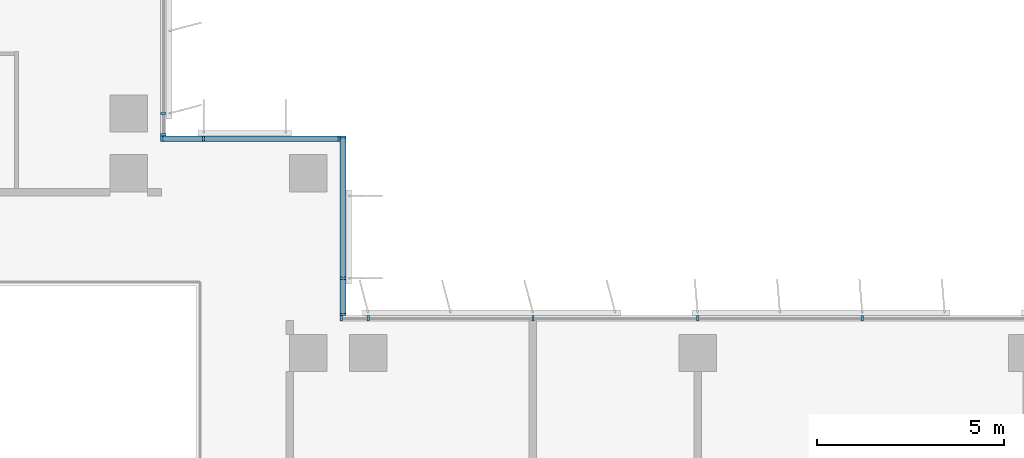
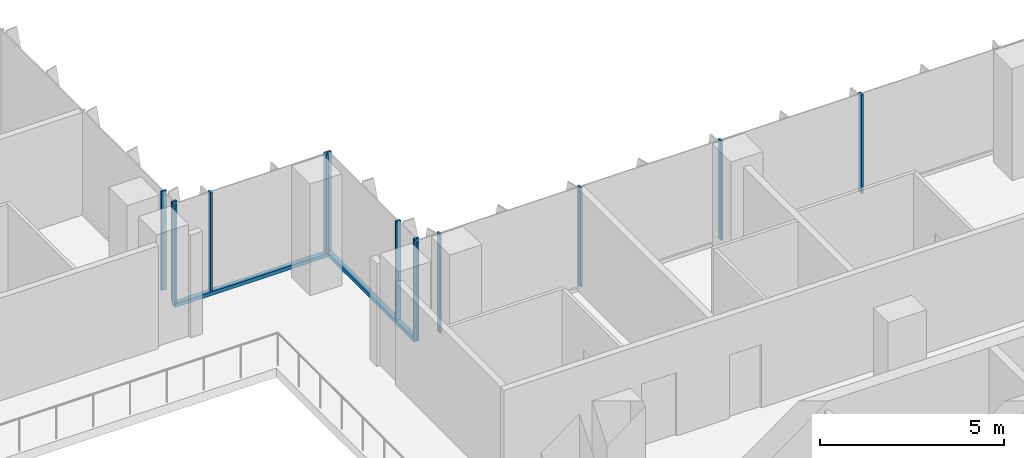
# One storey, part 2 of 21: 15 members, 4 elements without a shape of their own.
"""IFC4 building model written with IfcOpenShell, lengths in metres."""

from ifc_helpers import new_model, si_unit, direction, frame, origin, origin_2d, place, context, subcontext, project, spatial, rectangle, extrude, source, transform, mapped, material, material_profile, profile_set, type_object, element, aggregate, save


model = new_model("IFC4")

# Units and contexts
model_context = context("Model", 3, precision=1e-05, world=origin(), true_north=direction((0.0, 1.0)))
body_context = subcontext(model_context, "Body", "Model", "MODEL_VIEW")
ifc_project = project(units=[si_unit("LENGTHUNIT", "METRE"), si_unit("AREAUNIT", "SQUARE_METRE"), si_unit("VOLUMEUNIT", "CUBIC_METRE"), si_unit("PLANEANGLEUNIT", "RADIAN"), si_unit("MASSUNIT", "GRAM", prefix="KILO")], contexts=[model_context])

# Site, building, storey
site_placement = place(None, origin())
site = spatial("IfcSite", under=ifc_project, at=site_placement, CompositionType="ELEMENT")
building_placement = place(site_placement, origin())
building = spatial("IfcBuilding", under=site, at=building_placement, Name="Kemantara Hotel Tower", CompositionType="ELEMENT")
storey_placement = place(building_placement, frame((0.0, 0.0, 164.199951171875)))
storey = spatial("IfcBuildingStorey", under=building, at=storey_placement, Name="L40", CompositionType="ELEMENT", Elevation=164.199951171875)

# Curtain wall, member
ifc_material_1 = material(Name="Low-E tinted double insulated glass 36 mm", Category="glass")
curtain_wall_type = type_object("IfcCurtainWallType", Name="TOWER CURTAIN WALL, FRONT FACES", PredefinedType="USERDEFINED", material=ifc_material_1)
curtain_wall_1_placement = place(storey_placement, origin())
curtain_wall_1 = element("IfcCurtainWall", 1, at=curtain_wall_1_placement, inside=storey, type_object=curtain_wall_type, Name="CW4 L40 T3-R15-1", ObjectType="TOWER CURTAIN WALL, FRONT FACES", PredefinedType="USERDEFINED")
ifc_material_2 = material(Name="Aluminium 6063-T6 bronze anodised", Category="aluminium")
ifc_material_profile_1 = material_profile(ifc_material_2, rectangle(XDim=0.14990234375, YDim=0.1201171875, at=origin_2d()), Name="TOWER CURTAIN WALL, FRONT FACES TRANSOM")
ifc_profile_set_1 = profile_set([ifc_material_profile_1], Name="Aluminium 6063-T6 bronze anodised")
member_type_1 = type_object("IfcMemberType", Name="TOWER CURTAIN WALL, FRONT FACES TRANSOM", PredefinedType="USERDEFINED", material=ifc_profile_set_1)
member_1_placement = place(storey_placement, frame((26.72509765625, 22.0, 0.06005859375), z_axis=(0.0, 1.0, 0.0), x_axis=(-1.0, 0.0, 0.0)))
member_1 = element("IfcMember", 2, at=member_1_placement, type_object=member_type_1, Name="CW4 sill transom T3-R15-1", ObjectType="TRANSOM", PredefinedType="USERDEFINED", context=body_context, shape_type="SweptSolid", body=[
    extrude(rectangle(XDim=0.14990234375, YDim=0.1201171875, at=origin_2d()), origin(), (0.0, 0.0, 1.0), 4.800048828125),
])

curtain_wall_2_placement = place(storey_placement, origin())
curtain_wall_2 = element("IfcCurtainWall", 3, at=curtain_wall_2_placement, inside=storey, type_object=curtain_wall_type, Name="CW4 L40 T3-R16-1", ObjectType="TOWER CURTAIN WALL, FRONT FACES", PredefinedType="USERDEFINED")
member_2_placement = place(storey_placement, frame((26.64990234375, 26.72509765625, 0.06005859375), z_axis=(-1.0, 0.0, 0.0), x_axis=(0.0, -1.0, 0.0)))
member_2 = element("IfcMember", 4, at=member_2_placement, type_object=member_type_1, Name="CW4 sill transom T3-R16-1", ObjectType="TRANSOM", PredefinedType="USERDEFINED", context=body_context, shape_type="SweptSolid", body=[
    extrude(rectangle(XDim=0.14990234375, YDim=0.1201171875, at=origin_2d()), origin(), (0.0, 0.0, 1.0), 4.7998046875),
])

# Curtain wall, members
curtain_wall_3_placement = place(storey_placement, origin())
curtain_wall_3 = element("IfcCurtainWall", 5, at=curtain_wall_3_placement, inside=storey, type_object=curtain_wall_type, Name="CW4 L40 T3-R14-1", ObjectType="TOWER CURTAIN WALL, FRONT FACES", PredefinedType="USERDEFINED")
ifc_material_profile_2 = material_profile(ifc_material_2, rectangle(XDim=0.14990234375, YDim=0.06005859375, at=origin_2d()), Name="TOWER CURTAIN WALL, FRONT FACES MULLION")
ifc_profile_set_2 = profile_set([ifc_material_profile_2], Name="Aluminium 6063-T6 bronze anodised")
member_type_2 = type_object("IfcMemberType", Name="TOWER CURTAIN WALL, FRONT FACES MULLION", PredefinedType="MULLION", material=ifc_profile_set_2)
shared_shape = source(origin(), body_context, "Body", "SweptSolid", [
    extrude(rectangle(XDim=0.14990234375, YDim=0.06005859375, at=origin_2d()), origin(), (0.0, 0.0, 1.0), 3.280029296875),
])
member_3_placement = place(storey_placement, frame((40.60009765625, 21.925048828125, 0.1201171875), z_axis=(0.0, 0.0, 1.0), x_axis=(0.0, -1.0, 0.0)))
member_3 = element("IfcMember", 6, at=member_3_placement, type_object=member_type_2, Name="CW4 mullion T3-R14-1.6", PredefinedType="MULLION", context=body_context, shape_type="MappedRepresentation", body=[
    mapped(shared_shape, transform((0.0, 0.0, 0.0))),
])
member_4_placement = place(storey_placement, frame((36.199951171875, 21.925048828125, 0.1201171875), z_axis=(0.0, 0.0, 1.0), x_axis=(0.0, -1.0, 0.0)))
member_4 = element("IfcMember", 7, at=member_4_placement, type_object=member_type_2, Name="CW4 mullion T3-R14-1.7", PredefinedType="MULLION", context=body_context, shape_type="MappedRepresentation", body=[
    mapped(shared_shape, transform((0.0, 0.0, 0.0))),
])
member_5_placement = place(storey_placement, frame((31.800048828125, 21.925048828125, 0.1201171875), z_axis=(0.0, 0.0, 1.0), x_axis=(0.0, -1.0, 0.0)))
member_5 = element("IfcMember", 8, at=member_5_placement, type_object=member_type_2, Name="CW4 mullion T3-R14-1.8", PredefinedType="MULLION", context=body_context, shape_type="MappedRepresentation", body=[
    mapped(shared_shape, transform((0.0, 0.0, 0.0))),
])
member_6_placement = place(storey_placement, frame((27.39990234375, 21.925048828125, 0.1201171875), z_axis=(0.0, 0.0, 1.0), x_axis=(0.0, -1.0, 0.0)))
member_6 = element("IfcMember", 9, at=member_6_placement, type_object=member_type_2, Name="CW4 mullion T3-R14-1.9", PredefinedType="MULLION", context=body_context, shape_type="MappedRepresentation", body=[
    mapped(shared_shape, transform((0.0, 0.0, 0.0))),
])
member_7_placement = place(storey_placement, frame((26.679931640625, 21.925048828125, 0.1201171875), z_axis=(0.0, 0.0, 1.0), x_axis=(0.0, -1.0, 0.0)))
member_7 = element("IfcMember", 10, at=member_7_placement, type_object=member_type_2, Name="CW4 mullion T3-R14-1.10", PredefinedType="MULLION", context=body_context, shape_type="MappedRepresentation", body=[
    mapped(shared_shape, transform((0.0, 0.0, 0.0))),
])
aggregate(curtain_wall_3, [member_3, member_4, member_5, member_6, member_7])

# Member
member_8_placement = place(storey_placement, frame((26.72509765625, 22.030029296875, 0.1201171875), z_axis=(0.0, 0.0, 1.0), x_axis=(-1.0, 0.0, 0.0)))
member_8 = element("IfcMember", 11, at=member_8_placement, type_object=member_type_2, Name="CW4 mullion T3-R15-1.1", PredefinedType="MULLION", context=body_context, shape_type="MappedRepresentation", body=[
    mapped(shared_shape, transform((0.0, 0.0, 0.0))),
])

member_9_placement = place(storey_placement, frame((26.72509765625, 23.0, 0.1201171875), z_axis=(0.0, 0.0, 1.0), x_axis=(-1.0, 0.0, 0.0)))
member_9 = element("IfcMember", 12, at=member_9_placement, type_object=member_type_2, Name="CW4 mullion T3-R15-1.2", PredefinedType="MULLION", context=body_context, shape_type="MappedRepresentation", body=[
    mapped(shared_shape, transform((0.0, 0.0, 0.0))),
])

member_10_placement = place(storey_placement, frame((26.72509765625, 26.77001953125, 0.1201171875), z_axis=(0.0, 0.0, 1.0), x_axis=(-1.0, 0.0, 0.0)))
member_10 = element("IfcMember", 13, at=member_10_placement, type_object=member_type_2, Name="CW4 mullion T3-R15-1.3", PredefinedType="MULLION", context=body_context, shape_type="MappedRepresentation", body=[
    mapped(shared_shape, transform((0.0, 0.0, 0.0))),
])

aggregate(curtain_wall_1, [member_1, member_8, member_9, member_10])

member_11_placement = place(storey_placement, frame((26.6201171875, 26.72509765625, 0.1201171875), z_axis=(0.0, 0.0, 1.0), x_axis=(0.0, -1.0, 0.0)))
member_11 = element("IfcMember", 14, at=member_11_placement, type_object=member_type_2, Name="CW4 mullion T3-R16-1.1", PredefinedType="MULLION", context=body_context, shape_type="MappedRepresentation", body=[
    mapped(shared_shape, transform((0.0, 0.0, 0.0))),
])

member_12_placement = place(storey_placement, frame((23.0, 26.72509765625, 0.1201171875), z_axis=(0.0, 0.0, 1.0), x_axis=(0.0, -1.0, 0.0)))
member_12 = element("IfcMember", 15, at=member_12_placement, type_object=member_type_2, Name="CW4 mullion T3-R16-1.2", PredefinedType="MULLION", context=body_context, shape_type="MappedRepresentation", body=[
    mapped(shared_shape, transform((0.0, 0.0, 0.0))),
])

member_13_placement = place(storey_placement, frame((21.8798828125, 26.72509765625, 0.1201171875), z_axis=(0.0, 0.0, 1.0), x_axis=(0.0, -1.0, 0.0)))
member_13 = element("IfcMember", 16, at=member_13_placement, type_object=member_type_2, Name="CW4 mullion T3-R16-1.3", PredefinedType="MULLION", context=body_context, shape_type="MappedRepresentation", body=[
    mapped(shared_shape, transform((0.0, 0.0, 0.0))),
])

aggregate(curtain_wall_2, [member_2, member_11, member_12, member_13])

# Curtain wall, members
curtain_wall_4_placement = place(storey_placement, origin())
curtain_wall_4 = element("IfcCurtainWall", 17, at=curtain_wall_4_placement, inside=storey, type_object=curtain_wall_type, Name="CW4 L40 T3-R17-1", ObjectType="TOWER CURTAIN WALL, FRONT FACES", PredefinedType="USERDEFINED")
member_14_placement = place(storey_placement, frame((21.925048828125, 26.830078125, 0.1201171875), z_axis=(0.0, 0.0, 1.0), x_axis=(-1.0, 0.0, 0.0)))
member_14 = element("IfcMember", 18, at=member_14_placement, type_object=member_type_2, Name="CW4 mullion T3-R17-1.1", PredefinedType="MULLION", context=body_context, shape_type="MappedRepresentation", body=[
    mapped(shared_shape, transform((0.0, 0.0, 0.0))),
])
member_15_placement = place(storey_placement, frame((21.925048828125, 27.39990234375, 0.1201171875), z_axis=(0.0, 0.0, 1.0), x_axis=(-1.0, 0.0, 0.0)))
member_15 = element("IfcMember", 19, at=member_15_placement, type_object=member_type_2, Name="CW4 mullion T3-R17-1.2", PredefinedType="MULLION", context=body_context, shape_type="MappedRepresentation", body=[
    mapped(shared_shape, transform((0.0, 0.0, 0.0))),
])
aggregate(curtain_wall_4, [member_14, member_15])

save(model, "model.ifc")
